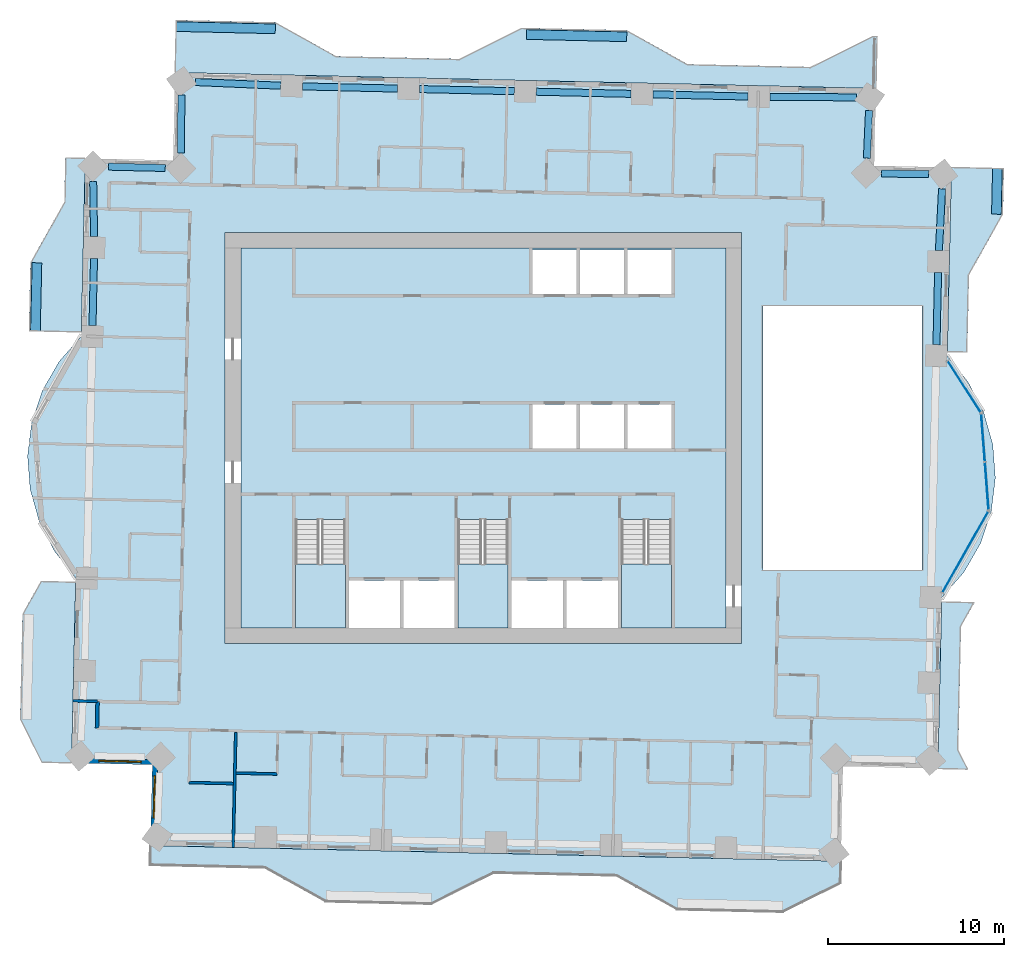
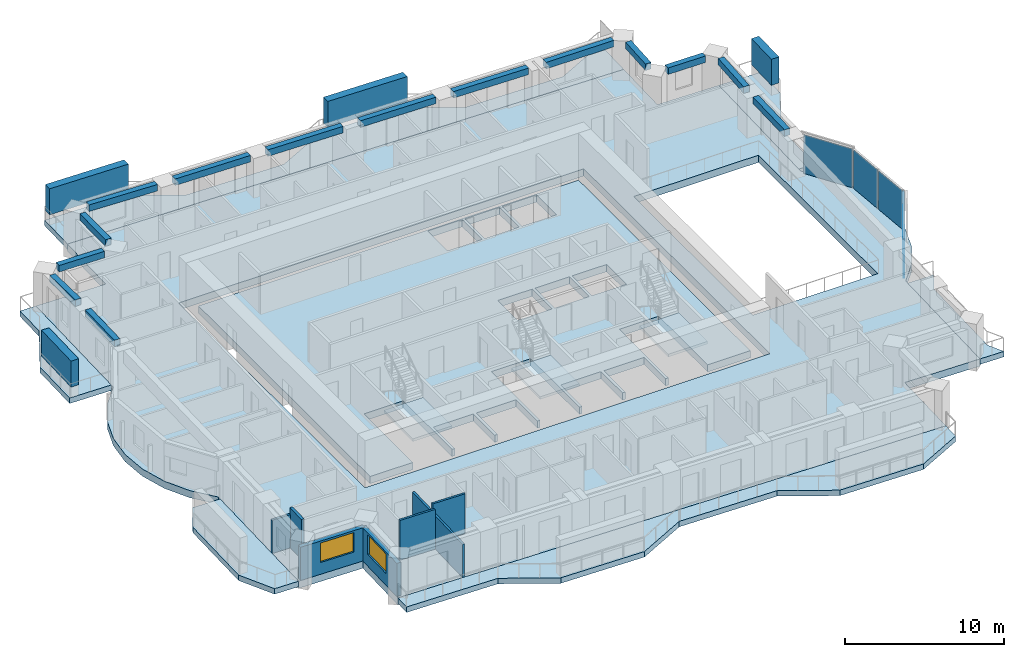
# One storey, part 3 of 14: 14 beams, 11 slabs, 7 walls, 4 members, 4 plates, 2 windows, 2 openings, 6 elements without a shape of their own.
"""IFC4 building model written with IfcOpenShell, lengths in metres."""

from ifc_helpers import new_model, si_unit, direction, frame, frame_2d, origin, origin_2d, place, context, subcontext, project, spatial, polyline, rectangle, outline, extrude, material, layer, layer_set, material_profile, profile_set, type_object, element, fill, aggregate, save


model = new_model("IFC4")

# Units and contexts
model_context = context("Model", 3, precision=1e-05, world=origin(), true_north=direction((0.0, 1.0)))
body_context = subcontext(model_context, "Body", "Model", "MODEL_VIEW")
ifc_project = project(units=[si_unit("LENGTHUNIT", "METRE"), si_unit("AREAUNIT", "SQUARE_METRE"), si_unit("VOLUMEUNIT", "CUBIC_METRE"), si_unit("PLANEANGLEUNIT", "RADIAN"), si_unit("MASSUNIT", "GRAM", prefix="KILO")], contexts=[model_context])

# Site, building, storey
site_placement = place(None, origin())
site = spatial("IfcSite", under=ifc_project, at=site_placement, CompositionType="ELEMENT")
building_placement = place(site_placement, origin())
building = spatial("IfcBuilding", under=site, at=building_placement, Name="Mangrove Gate Tower", CompositionType="ELEMENT")
storey_placement = place(building_placement, frame((0.0, 0.0, 152.699951171875)))
storey = spatial("IfcBuildingStorey", under=building, at=storey_placement, Name="L38", CompositionType="ELEMENT", Elevation=152.699951171875)

# Members
ifc_material_1 = material(Name="Planting on aluminium trellis", Category="aluminium")
ifc_material_profile_1 = material_profile(ifc_material_1, rectangle(XDim=0.550048828125, YDim=2.0, at=origin_2d()))
ifc_profile_set_1 = profile_set([ifc_material_profile_1], Name="Planting on aluminium trellis")
member_type = type_object("IfcMemberType", Name="Balcony greenery screen 550x2000", PredefinedType="USERDEFINED", material=ifc_profile_set_1)
member_1_placement = place(storey_placement, frame((29.18798828125, 12.72802734375, 1.800048828125), z_axis=(0.022727805448, 0.999741690068, 0.0), x_axis=(-0.999741690068, 0.022727805448, 0.0)))
element("IfcMember", 1, at=member_1_placement, inside=storey, type_object=member_type, Name="GREEN SCREEN L38 E1.1", ObjectType="PLANTING", PredefinedType="USERDEFINED", context=body_context, shape_type="SweptSolid", body=[
    extrude(rectangle(XDim=0.550048828125, YDim=2.0, at=origin_2d()), origin(), (0.0, 0.0, 1.0), 2.599609375),
])
member_2_placement = place(storey_placement, frame((2.458984375, 22.951904296875, 1.800048828125), z_axis=(0.999744196375, -0.022617290187, 0.0), x_axis=(0.022617290187, 0.999744196375, 0.0)))
element("IfcMember", 2, at=member_2_placement, inside=storey, type_object=member_type, Name="GREEN SCREEN L38 N0.1", ObjectType="PLANTING", PredefinedType="USERDEFINED", context=body_context, shape_type="SweptSolid", body=[
    extrude(rectangle(XDim=0.550048828125, YDim=2.0, at=origin_2d()), origin(), (0.0, 0.0, 1.0), 5.699462890625),
])
member_3_placement = place(storey_placement, frame((-17.47607421875, 23.404052734375, 1.800048828125), z_axis=(0.999741701433, -0.022727305502, 0.0), x_axis=(0.022727305502, 0.999741701433, 0.0)))
element("IfcMember", 3, at=member_3_placement, inside=storey, type_object=member_type, Name="GREEN SCREEN L38 N1.1", ObjectType="PLANTING", PredefinedType="USERDEFINED", context=body_context, shape_type="SweptSolid", body=[
    extrude(rectangle(XDim=0.550048828125, YDim=2.0, at=origin_2d()), origin(), (0.0, 0.0, 1.0), 5.6396484375),
])
member_4_placement = place(storey_placement, frame((-25.486083984375, 6.092041015625, 1.800048828125), z_axis=(0.022744303924, 0.999741314861, 0.0), x_axis=(-0.999741314861, 0.022744303924, 0.0)))
element("IfcMember", 4, at=member_4_placement, inside=storey, type_object=member_type, Name="GREEN SCREEN L38 W0.1", ObjectType="PLANTING", PredefinedType="USERDEFINED", context=body_context, shape_type="SweptSolid", body=[
    extrude(rectangle(XDim=0.550048828125, YDim=2.0, at=origin_2d()), origin(), (0.0, 0.0, 1.0), 3.875),
])

# Beams
ifc_material_2 = material(Name="Concrete C50/60", Category="concrete")
ifc_material_profile_2 = material_profile(ifc_material_2, rectangle(XDim=0.39990234375, YDim=0.5, at=origin_2d()))
ifc_profile_set_2 = profile_set([ifc_material_profile_2], Name="Concrete C50/60")
beam_type = type_object("IfcBeamType", Name="Edge beam RC 400x500 C50/60", PredefinedType="BEAM", material=ifc_profile_set_2)
beam_1_placement = place(storey_placement, frame((25.779296875, 5.303955078125, 2.800048828125), z_axis=(0.022564934913, 0.99974537944, 0.0), x_axis=(-0.99974537944, 0.022564934913, 0.0)))
element("IfcBeam", 5, at=beam_1_placement, inside=storey, type_object=beam_type, Name="Edge beam L38 15", PredefinedType="BEAM", context=body_context, shape_type="SweptSolid", body=[
    extrude(rectangle(XDim=0.39990234375, YDim=0.5, at=origin_2d()), origin(), (0.0, 0.0, 1.0), 4.111328125),
])
beam_2_placement = place(storey_placement, frame((25.918212890625, 10.66357421875, 2.800048828125), z_axis=(0.051264492748, 0.998685111426, 0.0), x_axis=(-0.998685111426, 0.051264492748, 0.0)))
element("IfcBeam", 6, at=beam_2_placement, inside=storey, type_object=beam_type, Name="Edge beam L38 16", PredefinedType="BEAM", context=body_context, shape_type="SweptSolid", body=[
    extrude(rectangle(XDim=0.39990234375, YDim=0.5, at=origin_2d()), origin(), (0.0, 0.0, 1.0), 3.5146484375),
])
beam_3_placement = place(storey_placement, frame((25.33935546875, 15.010498046875, 2.800048828125), z_axis=(-0.999924520308, 0.012286321129, 0.0), x_axis=(-0.012286321129, -0.999924520308, 0.0)))
element("IfcBeam", 7, at=beam_3_placement, inside=storey, type_object=beam_type, Name="Edge beam L38 17", PredefinedType="BEAM", context=body_context, shape_type="SweptSolid", body=[
    extrude(rectangle(XDim=0.39990234375, YDim=0.5, at=origin_2d()), origin(), (0.0, 0.0, 1.0), 2.6826171875),
])
beam_4_placement = place(storey_placement, frame((21.821044921875, 15.91796875, 2.800048828125), z_axis=(0.04517139191, 0.998979251713, 0.0), x_axis=(-0.998979251713, 0.04517139191, 0.0)))
element("IfcBeam", 8, at=beam_4_placement, inside=storey, type_object=beam_type, Name="Edge beam L38 18", PredefinedType="BEAM", context=body_context, shape_type="SweptSolid", body=[
    extrude(rectangle(XDim=0.39990234375, YDim=0.5, at=origin_2d()), origin(), (0.0, 0.0, 1.0), 2.718505859375),
])
beam_5_placement = place(storey_placement, frame((21.21923828125, 19.37646484375, 2.800048828125), z_axis=(-0.999980449933, 0.006252979488, 0.0), x_axis=(-0.006252979488, -0.999980449933, 0.0)))
element("IfcBeam", 9, at=beam_5_placement, inside=storey, type_object=beam_type, Name="Edge beam L38 19", PredefinedType="BEAM", context=body_context, shape_type="SweptSolid", body=[
    extrude(rectangle(XDim=0.39990234375, YDim=0.5, at=origin_2d()), origin(), (0.0, 0.0, 1.0), 4.91943359375),
])
beam_6_placement = place(storey_placement, frame((15.050048828125, 19.42529296875, 2.800048828125), z_axis=(-0.99974211572, 0.022709074303, 0.0), x_axis=(-0.022709074303, -0.99974211572, 0.0)))
element("IfcBeam", 10, at=beam_6_placement, inside=storey, type_object=beam_type, Name="Edge beam L38 20", PredefinedType="BEAM", context=body_context, shape_type="SweptSolid", body=[
    extrude(rectangle(XDim=0.39990234375, YDim=0.5, at=origin_2d()), origin(), (0.0, 0.0, 1.0), 5.39697265625),
])
for number, where, z_axis, x_axis, name in (
    (11, (8.405029296875, 19.576416015625, 2.800048828125), (-0.99974209239, 0.022710101379, 0.0), (-0.022710101379, -0.99974209239, 0.0), "Edge beam L38 21"),
    (12, (1.760009765625, 19.727294921875, 2.800048828125), (-0.999745164565, 0.022574453012, 0.0), (-0.022574453012, -0.999745164565, 0.0), "Edge beam L38 22"),
    (13, (-4.885009765625, 19.87744140625, 2.800048828125), (-0.99974209239, 0.022710101379, 0.0), (-0.022710101379, -0.99974209239, 0.0), "Edge beam L38 23"),
):
    element("IfcBeam", number, at=place(storey_placement, frame(where, z_axis=z_axis, x_axis=x_axis)), inside=storey, type_object=beam_type, Name=name, PredefinedType="BEAM", context=body_context, shape_type="SweptSolid", body=[
        extrude(rectangle(XDim=0.39990234375, YDim=0.5, at=origin_2d()), origin(), (0.0, 0.0, 1.0), 5.396728515625),
    ])
beam_7_placement = place(storey_placement, frame((-11.52978515625, 20.040771484375, 2.800048828125), z_axis=(-0.99908526165, 0.04276259995, 0.0), x_axis=(-0.04276259995, -0.99908526165, 0.0)))
element("IfcBeam", 14, at=beam_7_placement, inside=storey, type_object=beam_type, Name="Edge beam L38 24", PredefinedType="BEAM", context=body_context, shape_type="SweptSolid", body=[
    extrude(rectangle(XDim=0.39990234375, YDim=0.5, at=origin_2d()), origin(), (0.0, 0.0, 1.0), 4.852783203125),
])
beam_8_placement = place(storey_placement, frame((-17.1787109375, 19.5078125, 2.800048828125), z_axis=(-0.009256805477, -0.999957154858, 0.0), x_axis=(0.999957154858, -0.009256805477, 0.0)))
element("IfcBeam", 15, at=beam_8_placement, inside=storey, type_object=beam_type, Name="Edge beam L38 25", PredefinedType="BEAM", context=body_context, shape_type="SweptSolid", body=[
    extrude(rectangle(XDim=0.39990234375, YDim=0.5, at=origin_2d()), origin(), (0.0, 0.0, 1.0), 3.296875),
])
beam_9_placement = place(storey_placement, frame((-18.100341796875, 15.35986328125, 2.800048828125), z_axis=(-0.999728264074, 0.023310899004, 0.0), x_axis=(-0.023310899004, -0.999728264074, 0.0)))
element("IfcBeam", 16, at=beam_9_placement, inside=storey, type_object=beam_type, Name="Edge beam L38 26", PredefinedType="BEAM", context=body_context, shape_type="SweptSolid", body=[
    extrude(rectangle(XDim=0.39990234375, YDim=0.5, at=origin_2d()), origin(), (0.0, 0.0, 1.0), 3.236328125),
])
beam_10_placement = place(storey_placement, frame((-22.199462890625, 14.599609375, 2.800048828125), z_axis=(0.016224572201, -0.999868372966, 0.0), x_axis=(0.999868372966, 0.016224572201, 0.0)))
element("IfcBeam", 17, at=beam_10_placement, inside=storey, type_object=beam_type, Name="Edge beam L38 27", PredefinedType="BEAM", context=body_context, shape_type="SweptSolid", body=[
    extrude(rectangle(XDim=0.39990234375, YDim=0.5, at=origin_2d()), origin(), (0.0, 0.0, 1.0), 3.14501953125),
])
beam_11_placement = place(storey_placement, frame((-22.15234375, 10.205078125, 2.800048828125), z_axis=(-0.022733042384, -0.999741570999, 0.0), x_axis=(0.999741570999, -0.022733042384, 0.0)))
element("IfcBeam", 18, at=beam_11_placement, inside=storey, type_object=beam_type, Name="Edge beam L38 28", PredefinedType="BEAM", context=body_context, shape_type="SweptSolid", body=[
    extrude(rectangle(XDim=0.39990234375, YDim=0.5, at=origin_2d()), origin(), (0.0, 0.0, 1.0), 3.8125),
])

# Curtain wall, plate
ifc_material_3 = material(Name="Aluminium and glass curtain wall", Category="aluminium")
curtain_wall_type = type_object("IfcCurtainWallType", Name="Atrium garden-court glazing wall", PredefinedType="NOTDEFINED", material=ifc_material_3)
curtain_wall_1_placement = place(storey_placement, origin())
curtain_wall_1 = element("IfcCurtainWall", 19, at=curtain_wall_1_placement, inside=storey, type_object=curtain_wall_type, Name="Atrium garden-court glazing E1f1", PredefinedType="NOTDEFINED")
ifc_material_4 = material(Name="Laminated low-e glass", Category="glass")
ifc_layer_1 = layer(ifc_material_4, 0.031982421875)
ifc_layer_set_1 = layer_set([ifc_layer_1], Name="Atrium garden-court glazing panel 32")
plate_type = type_object("IfcPlateType", Name="Atrium garden-court glazing panel 32", PredefinedType="CURTAIN_PANEL", material=ifc_layer_set_1)
plate_1_placement = place(storey_placement, frame((27.4228515625, -6.48876953125, 0.0), z_axis=(0.0, 0.0, 1.0), x_axis=(0.492564461279, 0.870275962833, 0.0)))
plate_1 = element("IfcPlate", 20, at=plate_1_placement, type_object=plate_type, Name="CWA panel 1.1", PredefinedType="CURTAIN_PANEL", context=body_context, shape_type="SweptSolid", body=[
    extrude(rectangle(XDim=5.257568359375, YDim=0.031982421875, at=origin_2d()), origin(), (0.0, 0.0, 1.0), 2.97998046875),
])
aggregate(curtain_wall_1, [plate_1])

# Curtain wall, plates
curtain_wall_2_placement = place(storey_placement, origin())
curtain_wall_2 = element("IfcCurtainWall", 21, at=curtain_wall_2_placement, inside=storey, type_object=curtain_wall_type, Name="Atrium garden-court glazing E1f2", PredefinedType="NOTDEFINED")
plate_2_placement = place(storey_placement, frame((28.6435546875, -2.7333984375, 0.0), z_axis=(0.0, 0.0, 1.0), x_axis=(-0.077023348403, 0.997029289339, 0.0)))
plate_2 = element("IfcPlate", 22, at=plate_2_placement, type_object=plate_type, Name="CWA panel 1.1", PredefinedType="CURTAIN_PANEL", context=body_context, shape_type="SweptSolid", body=[
    extrude(rectangle(XDim=2.681640625, YDim=0.031982421875, at=origin_2d()), origin(), (0.0, 0.0, 1.0), 2.97998046875),
])
plate_3_placement = place(storey_placement, frame((28.431640625, 0.01025390625, 0.0), z_axis=(0.0, 0.0, 1.0), x_axis=(-0.077023348403, 0.997029289339, 0.0)))
plate_3 = element("IfcPlate", 23, at=plate_3_placement, type_object=plate_type, Name="CWA panel 2.1", PredefinedType="CURTAIN_PANEL", context=body_context, shape_type="SweptSolid", body=[
    extrude(rectangle(XDim=2.681640625, YDim=0.031982421875, at=origin_2d()), origin(), (0.0, 0.0, 1.0), 2.97998046875),
])
aggregate(curtain_wall_2, [plate_2, plate_3])

# Curtain wall, plate
curtain_wall_3_placement = place(storey_placement, origin())
curtain_wall_3 = element("IfcCurtainWall", 24, at=curtain_wall_3_placement, inside=storey, type_object=curtain_wall_type, Name="Atrium garden-court glazing E1f3", PredefinedType="NOTDEFINED")
plate_4_placement = place(storey_placement, frame((27.358642578125, 2.917724609375, 0.0), z_axis=(0.0, 0.0, 1.0), x_axis=(-0.540496322894, 0.841346376315, 0.0)))
plate_4 = element("IfcPlate", 25, at=plate_4_placement, type_object=plate_type, Name="CWA panel 1.1", PredefinedType="CURTAIN_PANEL", context=body_context, shape_type="SweptSolid", body=[
    extrude(rectangle(XDim=3.427978515625, YDim=0.031982421875, at=origin_2d()), origin(), (0.0, 0.0, 1.0), 2.97998046875),
])
aggregate(curtain_wall_3, [plate_4])

# Slabs
ifc_material_5 = material(Name="Porcelain tile")
ifc_layer_2 = layer(ifc_material_5, 0.02001953125, Name="Tile finish")
ifc_material_6 = material(Name="Cement sand screed")
ifc_layer_3 = layer(ifc_material_6, 0.0400390625, Name="Screed laid to falls")
ifc_material_7 = material(Name="Bituminous waterproofing membrane")
ifc_layer_4 = layer(ifc_material_7, 0.00390625, Name="Waterproofing")
ifc_material_8 = material(Name="Concrete C40/50", Category="concrete")
ifc_layer_5 = layer(ifc_material_8, 0.340087890625, Name="Balcony structural slab")
ifc_material_9 = material(Name="Limestone", Category="masonry")
ifc_layer_6 = layer(ifc_material_9, 0.01611328125, Name="Soffit lining")
ifc_layer_set_2 = layer_set([ifc_layer_2, ifc_layer_3, ifc_layer_4, ifc_layer_5, ifc_layer_6], Name="Balcony slab 420 C40/50")
slab_type_1 = type_object("IfcSlabType", Name="Balcony slab 420 C40/50", PredefinedType="FLOOR", material=ifc_layer_set_2)
slab_1_placement = place(storey_placement, frame((0.0, 0.0, -0.419921875)))
element("IfcSlab", 26, at=slab_1_placement, inside=storey, type_object=slab_type_1, Name="BALCONY L38 E0", PredefinedType="FLOOR", context=body_context, shape_type="SweptSolid", body=[
    extrude(outline(polyline([(27.577880859375, -18.843994140625), (27.02197265625, -17.73095703125), (27.180908203125, -10.73291015625), (27.93798828125, -9.375), (26.072021484375, -9.3330078125), (26.041015625, -10.70703125), (25.882080078125, -17.705078125), (25.85693359375, -18.804931640625), (27.577880859375, -18.843994140625)])), origin(), (0.0, 0.0, 1.0), 0.419921875),
])
slab_2_placement = place(storey_placement, frame((0.0, 0.0, -0.419921875)))
element("IfcSlab", 27, at=slab_2_placement, inside=storey, type_object=slab_type_1, Name="BALCONY L38 E1", PredefinedType="FLOOR", context=body_context, shape_type="SweptSolid", body=[
    extrude(outline(polyline([(27.534912109375, 4.888916015625), (27.634033203125, 9.261962890625), (29.56298828125, 12.718994140625), (29.6220703125, 15.319091796875), (26.633056640625, 15.385986328125), (26.573974609375, 12.787109375), (26.4951171875, 9.2880859375), (26.39501953125, 4.9140625), (27.534912109375, 4.888916015625)])), origin(), (0.0, 0.0, 1.0), 0.419921875),
])
slab_3_placement = place(storey_placement, frame((0.0, 0.0, -0.419921875)))
element("IfcSlab", 28, at=slab_3_placement, inside=storey, type_object=slab_type_1, Name="BALCONY L38 N0", PredefinedType="FLOOR", context=body_context, shape_type="SweptSolid", body=[
    extrude(outline(polyline([(22.402099609375, 22.8740234375), (22.162109375, 22.8798828125), (18.62109375, 21.110107421875), (11.623046875, 21.26904296875), (8.1650390625, 23.197021484375), (2.1669921875, 23.333984375), (-1.3740234375, 21.56396484375), (-8.3720703125, 21.721923828125), (-11.8291015625, 23.65087890625), (-17.468017578125, 23.779052734375), (-17.535888671875, 20.7900390625), (2.09912109375, 20.343994140625), (2.39892578125, 20.337890625), (22.333984375, 19.885009765625), (22.402099609375, 22.8740234375)])), origin(), (0.0, 0.0, 1.0), 0.419921875),
])
slab_4_placement = place(storey_placement, frame((0.0, 0.0, -0.419921875)))
element("IfcSlab", 29, at=slab_4_placement, inside=storey, type_object=slab_type_1, Name="BALCONY L38 W0", PredefinedType="FLOOR", context=body_context, shape_type="SweptSolid", body=[
    extrude(outline(polyline([(-23.7880859375, 15.930908203125), (-23.843994140625, 13.430908203125), (-25.77294921875, 9.97412109375), (-25.861083984375, 6.10009765625), (-22.8720703125, 6.032958984375), (-22.783935546875, 9.906005859375), (-22.705078125, 13.405029296875), (-22.64794921875, 15.905029296875), (-23.7880859375, 15.930908203125)])), origin(), (0.0, 0.0, 1.0), 0.419921875),
])
slab_5_placement = place(storey_placement, frame((0.0, 0.0, -0.419921875)))
element("IfcSlab", 30, at=slab_5_placement, inside=storey, type_object=slab_type_1, Name="BALCONY L38 W1", PredefinedType="FLOOR", context=body_context, shape_type="SweptSolid", body=[
    extrude(outline(polyline([(-25.194091796875, -8.1689453125), (-26.22705078125, -10.02099609375), (-26.363037109375, -16.01904296875), (-25.14892578125, -18.447021484375), (-23.427978515625, -18.487060546875), (-23.3740234375, -16.0869140625), (-23.238037109375, -10.089111328125), (-23.195068359375, -8.214111328125), (-25.194091796875, -8.1689453125)])), origin(), (0.0, 0.0, 1.0), 0.419921875),
])
slab_6_placement = place(storey_placement, frame((0.0, 0.0, -0.419921875)))
element("IfcSlab", 31, at=slab_6_placement, inside=storey, type_object=slab_type_1, Name="BALCONY L38 S0", PredefinedType="FLOOR", context=body_context, shape_type="SweptSolid", body=[
    extrude(outline(polyline([(-18.9599609375, -24.3291015625), (-12.422119140625, -24.47802734375), (-8.964111328125, -26.406982421875), (-2.966064453125, -26.54296875), (0.574951171875, -24.77294921875), (0.675048828125, -24.77490234375), (7.572998046875, -24.931884765625), (11.030029296875, -26.860107421875), (17.029052734375, -26.9970703125), (20.306884765625, -25.35791015625), (20.3359375, -24.0810546875), (-18.93408203125, -23.18994140625), (-18.9599609375, -24.3291015625)])), origin(), (0.0, 0.0, 1.0), 0.419921875),
])
ifc_material_10 = material(Name="Concrete C40/50", Category="concrete")
ifc_layer_7 = layer(ifc_material_10, 0.550048828125)
ifc_layer_set_3 = layer_set([ifc_layer_7], Name="Core floor slab 550 C40/50")
slab_type_2 = type_object("IfcSlabType", Name="Core floor slab 550 C40/50", PredefinedType="FLOOR", material=ifc_layer_set_3)
slab_7_placement = place(storey_placement, frame((0.0, 0.0, -0.550048828125)))
element("IfcSlab", 32, at=slab_7_placement, inside=storey, type_object=slab_type_2, Name="SLAB-L38-CORE-1", PredefinedType="FLOOR", context=body_context, shape_type="SweptSolid", body=[
    extrude(outline(polyline([(-13.800048828125, -10.800048828125), (-13.800048828125, 10.800048828125), (13.800048828125, 10.800048828125), (13.800048828125, -10.800048828125), (10.699951171875, -10.800048828125), (10.699951171875, -4.653076171875), (7.85009765625, -4.653076171875), (7.85009765625, -10.800048828125), (7.64990234375, -10.800048828125), (7.64990234375, -8.10009765625), (4.72509765625, -8.10009765625), (4.72509765625, -10.800048828125), (4.52490234375, -10.800048828125), (4.52490234375, -8.10009765625), (1.60009765625, -8.10009765625), (1.60009765625, -10.800048828125), (1.39990234375, -10.800048828125), (1.39990234375, -4.653076171875), (-1.449951171875, -4.653076171875), (-1.449951171875, -10.800048828125), (-1.64990234375, -10.800048828125), (-1.64990234375, -8.10009765625), (-4.550048828125, -8.10009765625), (-4.550048828125, -10.800048828125), (-4.75, -10.800048828125), (-4.75, -8.10009765625), (-7.64990234375, -8.10009765625), (-7.64990234375, -10.800048828125), (-7.85009765625, -10.800048828125), (-7.85009765625, -4.653076171875), (-10.699951171875, -4.653076171875), (-10.699951171875, -10.800048828125), (-13.800048828125, -10.800048828125)]), holes=[polyline([(5.300048828125, -0.60009765625), (5.300048828125, 1.89990234375), (2.800048828125, 1.89990234375), (2.800048828125, -0.60009765625), (5.300048828125, -0.60009765625)]), polyline([(5.300048828125, 10.699951171875), (2.800048828125, 10.699951171875), (2.800048828125, 8.199951171875), (5.300048828125, 8.199951171875), (5.300048828125, 10.699951171875)]), polyline([(8.0, -0.60009765625), (8.0, 1.89990234375), (5.5, 1.89990234375), (5.5, -0.60009765625), (8.0, -0.60009765625)]), polyline([(10.699951171875, -0.60009765625), (10.699951171875, 1.89990234375), (8.199951171875, 1.89990234375), (8.199951171875, -0.60009765625), (10.699951171875, -0.60009765625)]), polyline([(8.0, 8.199951171875), (8.0, 10.699951171875), (5.5, 10.699951171875), (5.5, 8.199951171875), (8.0, 8.199951171875)]), polyline([(10.699951171875, 8.199951171875), (10.699951171875, 10.699951171875), (8.199951171875, 10.699951171875), (8.199951171875, 8.199951171875), (10.699951171875, 8.199951171875)])]), origin(), (0.0, 0.0, 1.0), 0.550048828125),
])

# Stair, slab
ifc_material_11 = material(Name="Concrete C40/50", Category="concrete")
stair_type = type_object("IfcStairType", Name="Core stair 1350", PredefinedType="HALF_TURN_STAIR", material=ifc_material_11)
stair_1_placement = place(storey_placement, origin())
stair_1 = element("IfcStair", 33, at=stair_1_placement, inside=storey, type_object=stair_type, Name="L38 Stair 1", PredefinedType="HALF_TURN_STAIR")
ifc_material_12 = material(Name="Concrete C40/50", Category="concrete")
ifc_layer_8 = layer(ifc_material_12, 0.199951171875)
ifc_layer_set_4 = layer_set([ifc_layer_8], Name="Core stair landing 200")
slab_type_3 = type_object("IfcSlabType", Name="Core stair landing 200", PredefinedType="LANDING", material=ifc_layer_set_4)
slab_8_placement = place(storey_placement, frame((0.0, 0.0, 1.60009765625)))
slab_8 = element("IfcSlab", 34, at=slab_8_placement, type_object=slab_type_3, Name="ST1 landing 1", PredefinedType="LANDING", context=body_context, shape_type="SweptSolid", body=[
    extrude(outline(polyline([(-10.699951171875, -7.169921875), (-10.699951171875, -10.800048828125), (-7.85009765625, -10.800048828125), (-7.85009765625, -7.169921875), (-10.699951171875, -7.169921875)])), origin(), (0.0, 0.0, 1.0), 0.199951171875),
])
aggregate(stair_1, [slab_8])

stair_2_placement = place(storey_placement, origin())
stair_2 = element("IfcStair", 35, at=stair_2_placement, inside=storey, type_object=stair_type, Name="L38 Stair 2", PredefinedType="HALF_TURN_STAIR")
slab_9_placement = place(storey_placement, frame((0.0, 0.0, 1.60009765625)))
slab_9 = element("IfcSlab", 36, at=slab_9_placement, type_object=slab_type_3, Name="ST2 landing 1", PredefinedType="LANDING", context=body_context, shape_type="SweptSolid", body=[
    extrude(outline(polyline([(-1.449951171875, -7.169921875), (-1.449951171875, -10.800048828125), (1.39990234375, -10.800048828125), (1.39990234375, -7.169921875), (-1.449951171875, -7.169921875)])), origin(), (0.0, 0.0, 1.0), 0.199951171875),
])
aggregate(stair_2, [slab_9])

stair_3_placement = place(storey_placement, origin())
stair_3 = element("IfcStair", 37, at=stair_3_placement, inside=storey, type_object=stair_type, Name="L38 Stair 3", PredefinedType="HALF_TURN_STAIR")
slab_10_placement = place(storey_placement, frame((0.0, 0.0, 1.60009765625)))
slab_10 = element("IfcSlab", 38, at=slab_10_placement, type_object=slab_type_3, Name="ST3 landing 1", PredefinedType="LANDING", context=body_context, shape_type="SweptSolid", body=[
    extrude(outline(polyline([(7.85009765625, -7.169921875), (7.85009765625, -10.800048828125), (10.699951171875, -10.800048828125), (10.699951171875, -7.169921875), (7.85009765625, -7.169921875)])), origin(), (0.0, 0.0, 1.0), 0.199951171875),
])
aggregate(stair_3, [slab_10])

# Slab
ifc_material_13 = material(Name="Concrete C40/50", Category="concrete")
ifc_layer_9 = layer(ifc_material_13, 0.550048828125)
ifc_layer_set_5 = layer_set([ifc_layer_9], Name="Floor slab 550 C40/50")
slab_type_4 = type_object("IfcSlabType", Name="Floor slab 550 C40/50", PredefinedType="FLOOR", material=ifc_layer_set_5)
slab_11_placement = place(storey_placement, frame((0.0, 0.0, -0.550048828125)))
element("IfcSlab", 39, at=slab_11_placement, inside=storey, type_object=slab_type_4, Name="Floor slab L38", PredefinedType="FLOOR", context=body_context, shape_type="SweptSolid", body=[
    extrude(outline(polyline([(-18.93408203125, -23.189697265625), (20.3359375, -24.080810546875), (20.45849609375, -18.68212890625), (25.85693359375, -18.8046875), (26.07763671875, -9.08251953125), (27.340576171875, -7.64599609375), (28.293701171875, -5.98779296875), (28.899169921875, -4.17333984375), (29.1328125, -2.27490234375), (28.985595703125, -0.36767578125), (28.463134765625, 1.472412109375), (27.586181640625, 3.172119140625), (26.3896484375, 4.66455078125), (26.633056640625, 15.386474609375), (22.234130859375, 15.486328125), (22.333984375, 19.88525390625), (-17.535888671875, 20.789794921875), (-17.649169921875, 15.791259765625), (-22.64794921875, 15.904541015625), (-22.877685546875, 5.782470703125), (-24.140625, 4.345947265625), (-25.09375, 2.687744140625), (-25.69921875, 0.873291015625), (-25.932861328125, -1.025146484375), (-25.78564453125, -2.932373046875), (-25.26318359375, -4.772216796875), (-24.38623046875, -6.47216796875), (-23.189697265625, -7.964599609375), (-23.428466796875, -18.486572265625), (-18.82958984375, -18.5908203125), (-18.93408203125, -23.189697265625)]), holes=[polyline([(15.89990234375, 7.5), (24.964111328125, 7.5), (24.964111328125, -7.5), (15.89990234375, -7.5), (15.89990234375, 7.5)]), polyline([(-14.699951171875, -11.699951171875), (-14.699951171875, 11.699951171875), (14.699951171875, 11.699951171875), (14.699951171875, -11.699951171875), (-14.699951171875, -11.699951171875)])]), origin(), (0.0, 0.0, 1.0), 0.550048828125),
])

# Wall
ifc_material_14 = material(Name="Gypsum board on steel stud, EI 60", Category="steel")
ifc_layer_10 = layer(ifc_material_14, 0.199951171875)
ifc_layer_set_6 = layer_set([ifc_layer_10], Name="Corridor wall EI 60")
wall_type_1 = type_object("IfcWallType", Name="Corridor wall EI 60", PredefinedType="PARTITIONING", material=ifc_layer_set_6)
wall_1_placement = place(storey_placement, frame((-21.98291015625, -16.492919921875, 0.0), z_axis=(0.0, 0.0, 1.0), x_axis=(0.022617910375, 0.999744182344, 0.0)))
element("IfcWall", 40, at=wall_1_placement, inside=storey, type_object=wall_type_1, Name="WALL-L38-024", PredefinedType="PARTITIONING", context=body_context, shape_type="SweptSolid", body=[
    extrude(rectangle(XDim=1.50048828125, YDim=0.199951171875, at=frame_2d((0.750244140625, 0.0))), origin(), (0.0, 0.0, 1.0), 3.050048828125),
])

# Wall, opening, window
ifc_layer_11 = layer(ifc_material_9, 0.0400390625, Name="Limestone cladding")
ifc_material_15 = material(Name="Ventilated air gap")
ifc_layer_12 = layer(ifc_material_15, 0.0400390625, Name="Ventilated cavity")
ifc_material_16 = material(Name="Mineral wool insulation")
ifc_layer_13 = layer(ifc_material_16, 0.06005859375, Name="Insulation")
ifc_material_17 = material(Name="Breather membrane")
ifc_layer_14 = layer(ifc_material_17, 0.001953125, Name="Breather membrane")
ifc_material_18 = material(Name="Concrete C20/25 blockwork", Category="masonry")
ifc_layer_15 = layer(ifc_material_18, 0.14990234375, Name="Blockwork backing wall")
ifc_material_19 = material(Name="Gypsum plaster")
ifc_layer_16 = layer(ifc_material_19, 0.008056640625, Name="Internal plaster")
ifc_layer_set_7 = layer_set([ifc_layer_11, ifc_layer_12, ifc_layer_13, ifc_layer_14, ifc_layer_15, ifc_layer_16], Name="External wall 300 limestone cladding")
wall_type_2 = type_object("IfcWallType", Name="External wall 300 limestone cladding", PredefinedType="SOLIDWALL", material=ifc_layer_set_7)
wall_2_placement = place(storey_placement, frame((-23.27490234375, -18.340087890625, 0.0), z_axis=(0.0, 0.0, 1.0), x_axis=(0.999744377441, -0.022609285172, 0.0)))
wall_2 = element("IfcWall", 41, at=wall_2_placement, inside=storey, type_object=wall_type_2, Name="WALL-L38-S11", PredefinedType="SOLIDWALL", context=body_context, shape_type="SweptSolid", body=[
    extrude(rectangle(XDim=4.60009765625, YDim=0.300048828125, at=frame_2d((2.300048828125, 0.0))), origin(), (0.0, 0.0, 1.0), 2.550048828125),
])
opening_1_placement = place(wall_2_placement, frame((1.405029296875, 0.0, 0.89990234375)))
opening_1 = element("IfcOpeningElement", 42, at=opening_1_placement, cuts=wall_2, Name="Opening W2", PredefinedType="OPENING", context=body_context, shape_type="SweptSolid", body=[
    extrude(rectangle(XDim=2.39990234375, YDim=1.5, at=frame_2d((1.199951171875, 0.75))), frame((0.0, 0.159912109375, 0.0), z_axis=(0.0, -1.0, 0.0), x_axis=(1.0, 0.0, 0.0)), (0.0, 0.0, 1.0), 0.320068359375),
])
ifc_material_20 = material(Name="Aluminium frame with double-glazed low-e glass", Category="aluminium")
window_type = type_object("IfcWindowType", Name="Corner room window 2400x1500", PartitioningType="DOUBLE_PANEL_VERTICAL", PredefinedType="WINDOW", material=ifc_material_20)
window_1_placement = place(opening_1_placement, origin())
window_1 = element("IfcWindow", 43, at=window_1_placement, inside=storey, type_object=window_type, Name="WIN-L38-S11-1", OverallHeight=1.5, OverallWidth=2.39990234375, PartitioningType="DOUBLE_PANEL_VERTICAL", PredefinedType="WINDOW", context=body_context, shape_type="SweptSolid", body=[
    extrude(rectangle(XDim=2.39990234375, YDim=1.5, at=frame_2d((1.199951171875, 0.75))), frame((0.0, 0.030029296875, 0.0), z_axis=(0.0, -1.0, 0.0), x_axis=(1.0, 0.0, 0.0)), (0.0, 0.0, 1.0), 0.06005859375),
])
fill(opening_1, window_1)

wall_3_placement = place(storey_placement, frame((-18.676025390625, -18.444091796875, 0.0), z_axis=(0.0, 0.0, 1.0), x_axis=(-0.022821468877, -0.999739556364, 0.0)))
wall_3 = element("IfcWall", 44, at=wall_3_placement, inside=storey, type_object=wall_type_2, Name="WALL-L38-W12", PredefinedType="SOLIDWALL", context=body_context, shape_type="SweptSolid", body=[
    extrude(rectangle(XDim=4.60009765625, YDim=0.300048828125, at=frame_2d((2.300048828125, 0.0))), origin(), (0.0, 0.0, 1.0), 2.550048828125),
])
opening_2_placement = place(wall_3_placement, frame((0.780029296875, 0.0, 0.89990234375)))
opening_2 = element("IfcOpeningElement", 45, at=opening_2_placement, cuts=wall_3, Name="Opening W2", PredefinedType="OPENING", context=body_context, shape_type="SweptSolid", body=[
    extrude(rectangle(XDim=2.39990234375, YDim=1.5, at=frame_2d((1.199951171875, 0.75))), frame((0.0, 0.159912109375, 0.0), z_axis=(0.0, -1.0, 0.0), x_axis=(1.0, 0.0, 0.0)), (0.0, 0.0, 1.0), 0.320068359375),
])
window_2_placement = place(opening_2_placement, origin())
window_2 = element("IfcWindow", 46, at=window_2_placement, inside=storey, type_object=window_type, Name="WIN-L38-W12-1", OverallHeight=1.5, OverallWidth=2.39990234375, PartitioningType="DOUBLE_PANEL_VERTICAL", PredefinedType="WINDOW", context=body_context, shape_type="SweptSolid", body=[
    extrude(rectangle(XDim=2.39990234375, YDim=1.5, at=frame_2d((1.199951171875, 0.75))), frame((0.0, 0.030029296875, 0.0), z_axis=(0.0, -1.0, 0.0), x_axis=(1.0, 0.0, 0.0)), (0.0, 0.0, 1.0), 0.06005859375),
])
fill(opening_2, window_2)

# Walls
ifc_material_21 = material(Name="Gypsum board on steel stud, EI 60", Category="steel")
ifc_layer_17 = layer(ifc_material_21, 0.14990234375)
ifc_layer_set_8 = layer_set([ifc_layer_17], Name="Party wall 150 EI 60")
wall_type_3 = type_object("IfcWallType", Name="Party wall 150 EI 60", PredefinedType="PARTITIONING", material=ifc_layer_set_8)
wall_4_placement = place(storey_placement, frame((-14.235107421875, -23.2958984375, 0.0), z_axis=(0.0, 0.0, 1.0), x_axis=(0.022623197363, 0.999744062719, 0.0)))
element("IfcWall", 47, at=wall_4_placement, inside=storey, type_object=wall_type_3, Name="WALL-L38-001", PredefinedType="PARTITIONING", context=body_context, shape_type="SweptSolid", body=[
    extrude(rectangle(XDim=6.550537109375, YDim=0.14990234375, at=frame_2d((3.275390625, 0.0))), origin(), (0.0, 0.0, 1.0), 2.550048828125),
])
wall_5_placement = place(storey_placement, frame((-16.751953125, -19.60791015625, 0.0), z_axis=(0.0, 0.0, 1.0), x_axis=(0.999735102249, -0.023015762656, 0.0)))
element("IfcWall", 48, at=wall_5_placement, inside=storey, type_object=wall_type_3, Name="WALL-L38-011", PredefinedType="PARTITIONING", context=body_context, shape_type="SweptSolid", body=[
    extrude(rectangle(XDim=2.524658203125, YDim=0.14990234375, at=frame_2d((1.26220703125, 0.0))), origin(), (0.0, 0.0, 1.0), 3.050048828125),
])
wall_6_placement = place(storey_placement, frame((-14.06396484375, -19.069091796875, 0.0), z_axis=(0.0, 0.0, 1.0), x_axis=(0.999740260747, -0.02279059109, 0.0)))
element("IfcWall", 49, at=wall_6_placement, inside=storey, type_object=wall_type_3, Name="WALL-L38-020", PredefinedType="PARTITIONING", context=body_context, shape_type="SweptSolid", body=[
    extrude(rectangle(XDim=2.324462890625, YDim=0.14990234375, at=frame_2d((1.162109375, 0.0))), origin(), (0.0, 0.0, 1.0), 3.050048828125),
])
wall_7_placement = place(storey_placement, frame((-23.347900390625, -14.95703125, 0.0), z_axis=(0.0, 0.0, 1.0), x_axis=(0.999740216184, -0.022792545827, 0.0)))
element("IfcWall", 50, at=wall_7_placement, inside=storey, type_object=wall_type_3, Name="WALL-L38-033", PredefinedType="PARTITIONING", context=body_context, shape_type="SweptSolid", body=[
    extrude(rectangle(XDim=1.403076171875, YDim=0.14990234375, at=frame_2d((0.70166015625, 0.0))), origin(), (0.0, 0.0, 1.0), 2.550048828125),
])

save(model, "model.ifc")
